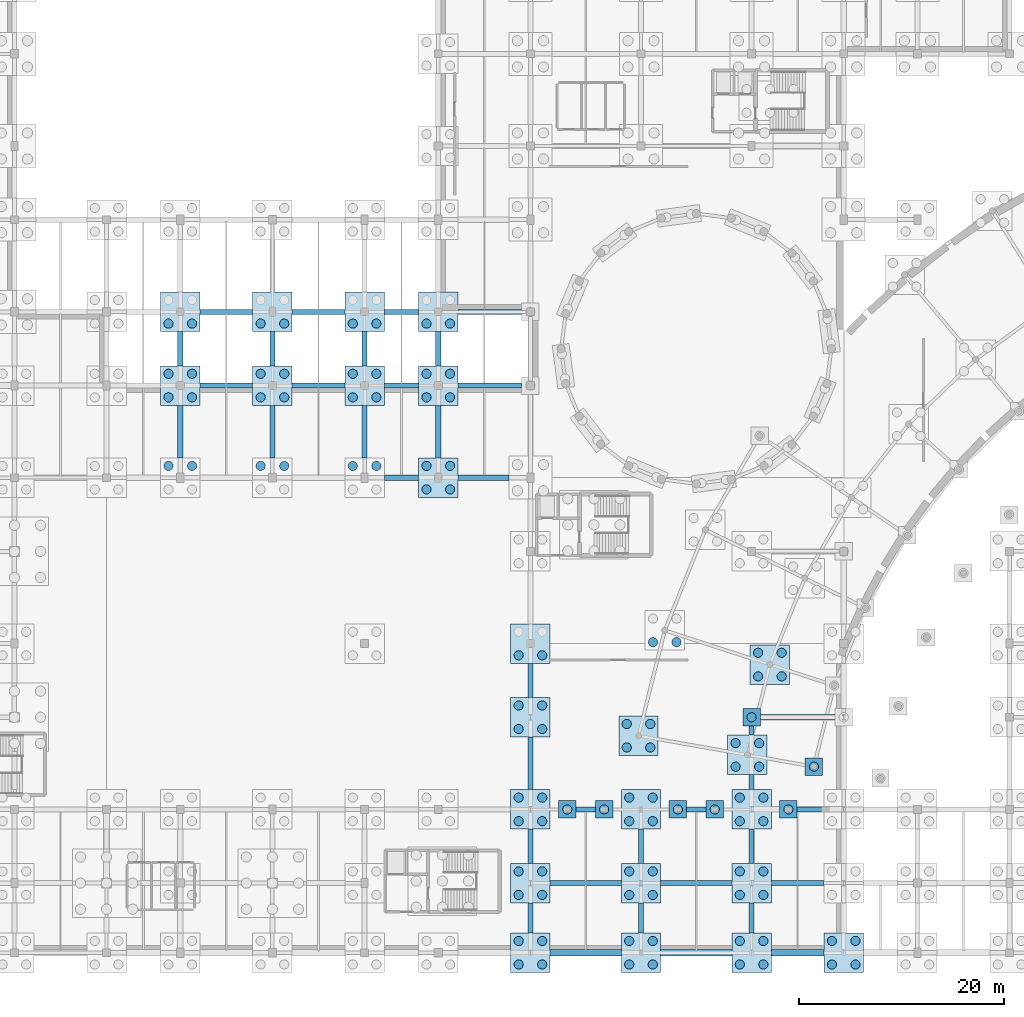
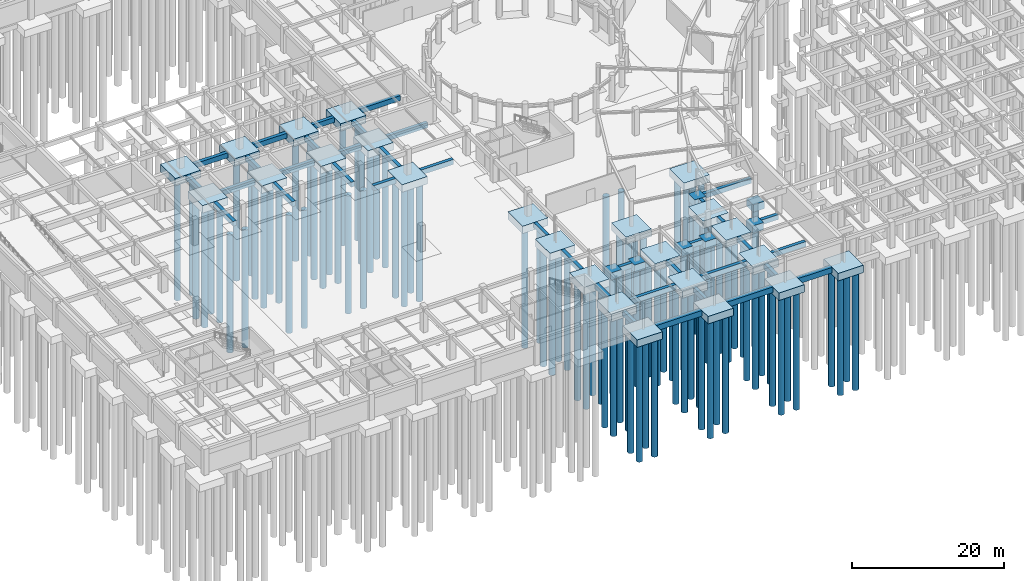
# One storey, part 3 of 42: 101 piles, 69 footings.
"""IFC4 building model written with IfcOpenShell, lengths in metres."""

from ifc_helpers import new_model, si_unit, direction, frame, frame_2d, origin, origin_2d, place, context, subcontext, project, spatial, rectangle, circle, extrude, material, material_profile, profile_set, type_object, element, save


model = new_model("IFC4")

# Units and contexts
model_context = context("Model", 3, precision=1e-05, world=origin(), true_north=direction((0.0, 1.0)))
body_context = subcontext(model_context, "Body", "Model", "MODEL_VIEW")
ifc_project = project(units=[si_unit("LENGTHUNIT", "METRE"), si_unit("AREAUNIT", "SQUARE_METRE"), si_unit("VOLUMEUNIT", "CUBIC_METRE"), si_unit("PLANEANGLEUNIT", "RADIAN"), si_unit("MASSUNIT", "GRAM", prefix="KILO")], contexts=[model_context])

# Site, building, storey
site_placement = place(None, origin())
site = spatial("IfcSite", under=ifc_project, at=site_placement, CompositionType="ELEMENT")
building_placement = place(site_placement, origin())
building = spatial("IfcBuilding", under=site, at=building_placement, Name="Clarverna Civic Hall", CompositionType="ELEMENT")
storey_placement = place(building_placement, frame((0.0, 0.0, -4.199951171875)))
storey = spatial("IfcBuildingStorey", under=building, at=storey_placement, Name="B01", CompositionType="ELEMENT", Elevation=-4.199951171875)

# Footings
ifc_material = material(Name="Concrete C30/37", Category="concrete")
footing_type_1 = type_object("IfcFootingType", Name="FC-02", PredefinedType="PILE_CAP", material=ifc_material)
for number, where, z_axis, x_axis, name in (
    (1, (89.9912109375, 28.14794921875, -1.2001953125), (0.0, 0.0, 1.0), (1.0, 0.0, 0.0), "FC-02-009"),
    (2, (87.79052734375, 19.322021484375, -1.2001953125), (0.0, 0.0, 1.0), (1.0, 0.0, 0.0), "FC-02-010"),
    (3, (77.154541015625, 21.197265625, -1.2001953125), (0.0, 0.0, 1.0), (1.0, 0.0, 0.0), "FC-02-018"),
    (4, (32.39990234375, 55.39990234375, -1.2001953125), (0.0, 0.0, 1.0), (1.0, 0.0, 0.0), "FC-02-051"),
    (5, (32.39990234375, 62.60009765625, -1.2001953125), (0.0, 0.0, 1.0), (1.0, 0.0, 0.0), "FC-02-052"),
    (6, (41.39990234375, 55.39990234375, -1.2001953125), (0.0, 0.0, 1.0), (1.0, 0.0, 0.0), "FC-02-057"),
    (7, (41.39990234375, 62.60009765625, -1.2001953125), (0.0, 0.0, 1.0), (1.0, 0.0, 0.0), "FC-02-058"),
    (8, (50.39990234375, 55.39990234375, -1.2001953125), (0.0, 0.0, 1.0), (1.0, 0.0, 0.0), "FC-02-065"),
    (9, (50.39990234375, 62.60009765625, -1.2001953125), (0.0, 0.0, 1.0), (1.0, 0.0, 0.0), "FC-02-066"),
    (10, (57.60009765625, 46.39990234375, -1.2001953125), (0.0, 0.0, 1.0), (1.0, 0.0, 0.0), "FC-02-070"),
    (11, (57.60009765625, 55.39990234375, -1.2001953125), (0.0, 0.0, 1.0), (1.0, 0.0, 0.0), "FC-02-071"),
    (12, (57.60009765625, 62.60009765625, -1.2001953125), (0.0, 0.0, 1.0), (1.0, 0.0, 0.0), "FC-02-072"),
    (13, (66.60009765625, 0.0, -1.2001953125), (0.0, 0.0, 1.0), (1.0, 0.0, 0.0), "FC-02-077"),
    (14, (66.60009765625, 6.800048828125, -1.2001953125), (0.0, 0.0, 1.0), (1.0, 0.0, 0.0), "FC-02-078"),
    (15, (66.60009765625, 14.0, -1.2001953125), (0.0, 0.0, 1.0), (1.0, 0.0, 0.0), "FC-02-079"),
    (16, (66.60009765625, 23.0, -1.2001953125), (0.0, 0.0, 1.0), (1.0, 0.0, 0.0), "FC-02-080"),
    (17, (66.60009765625, 30.199951171875, -1.2001953125), (0.0, 0.0, 1.0), (1.0, 0.0, 0.0), "FC-02-081"),
    (18, (77.39990234375, 0.0, -1.2001953125), (0.0, 0.0, 1.0), (1.0, 0.0, 0.0), "FC-02-083"),
    (19, (77.39990234375, 6.800048828125, -1.2001953125), (0.0, 0.0, 1.0), (1.0, 0.0, 0.0), "FC-02-084"),
    (20, (77.39990234375, 14.0, -1.2001953125), (0.0, 0.0, 1.0), (1.0, 0.0, 0.0), "FC-02-085"),
    (21, (88.199951171875, 0.0, -1.2001953125), (0.0, 0.0, 1.0), (1.0, 0.0, 0.0), "FC-02-086"),
    (22, (88.199951171875, 6.800048828125, -1.2001953125), (0.0, 0.0, 1.0), (1.0, 0.0, 0.0), "FC-02-087"),
    (23, (88.199951171875, 14.0, -1.2001953125), (0.0, 0.0, 1.0), (1.0, 0.0, 0.0), "FC-02-088"),
    (24, (97.199951171875, 0.0, -1.2001953125), (0.0, 0.0, 1.0), (1.0, 0.0, 0.0), "FC-02-090"),
):
    element("IfcFooting", number, at=place(storey_placement, frame(where, z_axis=z_axis, x_axis=x_axis)), inside=storey, type_object=footing_type_1, Name=name, PredefinedType="PILE_CAP", context=body_context, shape_type="SweptSolid", body=[
        extrude(rectangle(XDim=3.85009765625, YDim=3.85009765625, at=origin_2d()), origin(), (0.0, 0.0, 1.0), 1.199951171875),
    ])
footing_type_2 = type_object("IfcFootingType", Name="FC-06", PredefinedType="PILE_CAP", material=ifc_material)
for number, where, z_axis, x_axis, name in (
    (25, (94.290283203125, 18.17578125, -1.2001953125), (0.0, 0.0, 1.0), (1.0, 0.0, 0.0), "FC-06-011"),
    (26, (88.199951171875, 23.0, -1.2001953125), (0.0, 0.0, 1.0), (1.0, 0.0, 0.0), "FC-06-024"),
    (27, (70.199951171875, 14.0, -1.2001953125), (0.0, 0.0, 1.0), (1.0, 0.0, 0.0), "FC-06-041"),
    (28, (73.800048828125, 14.0, -1.2001953125), (0.0, 0.0, 1.0), (1.0, 0.0, 0.0), "FC-06-042"),
    (29, (81.0, 14.0, -1.2001953125), (0.0, 0.0, 1.0), (1.0, 0.0, 0.0), "FC-06-043"),
    (30, (84.60009765625, 14.0, -1.2001953125), (0.0, 0.0, 1.0), (1.0, 0.0, 0.0), "FC-06-044"),
    (31, (91.800048828125, 14.0, -1.2001953125), (0.0, 0.0, 1.0), (1.0, 0.0, 0.0), "FC-06-045"),
):
    element("IfcFooting", number, at=place(storey_placement, frame(where, z_axis=z_axis, x_axis=x_axis)), inside=storey, type_object=footing_type_2, Name=name, PredefinedType="PILE_CAP", context=body_context, shape_type="SweptSolid", body=[
        extrude(rectangle(XDim=1.699951171875, YDim=1.699951171875, at=origin_2d()), origin(), (0.0, 0.0, 1.0), 1.199951171875),
    ])
footing_type_3 = type_object("IfcFootingType", Name="GB-01", PredefinedType="FOOTING_BEAM", material=ifc_material)
footing_1_placement = place(storey_placement, frame((68.52490234375, 6.800048828125, -0.800048828125), z_axis=(0.0, 0.0, 1.0), x_axis=(1.0, 0.0, 0.0)))
element("IfcFooting", 32, at=footing_1_placement, inside=storey, type_object=footing_type_3, Name="GB-01-007", PredefinedType="FOOTING_BEAM", context=body_context, shape_type="SweptSolid", body=[
    extrude(rectangle(XDim=6.9501953125, YDim=0.5, at=frame_2d((3.47509765625, 0.0))), origin(), (0.0, 0.0, 1.0), 0.800048828125),
])
footing_2_placement = place(storey_placement, frame((79.324951171875, 6.800048828125, -0.800048828125), z_axis=(0.0, 0.0, 1.0), x_axis=(1.0, 0.0, 0.0)))
element("IfcFooting", 33, at=footing_2_placement, inside=storey, type_object=footing_type_3, Name="GB-01-008", PredefinedType="FOOTING_BEAM", context=body_context, shape_type="SweptSolid", body=[
    extrude(rectangle(XDim=6.949951171875, YDim=0.5, at=frame_2d((3.47509765625, 0.0))), origin(), (0.0, 0.0, 1.0), 0.800048828125),
])
footing_3_placement = place(storey_placement, frame((90.125, 6.800048828125, -0.800048828125), z_axis=(0.0, 0.0, 1.0), x_axis=(1.0, 0.0, 0.0)))
element("IfcFooting", 34, at=footing_3_placement, inside=storey, type_object=footing_type_3, Name="GB-01-009", PredefinedType="FOOTING_BEAM", context=body_context, shape_type="SweptSolid", body=[
    extrude(rectangle(XDim=5.14990234375, YDim=0.5, at=frame_2d((2.574951171875, 0.0))), origin(), (0.0, 0.0, 1.0), 0.800048828125),
])
for number, where, z_axis, x_axis, name in (
    (35, (71.050048828125, 14.0, -0.800048828125), (0.0, 0.0, 1.0), (1.0, 0.0, 0.0), "GB-01-027"),
    (36, (81.85009765625, 14.0, -0.800048828125), (0.0, 0.0, 1.0), (1.0, 0.0, 0.0), "GB-01-028"),
):
    element("IfcFooting", number, at=place(storey_placement, frame(where, z_axis=z_axis, x_axis=x_axis)), inside=storey, type_object=footing_type_3, Name=name, PredefinedType="FOOTING_BEAM", context=body_context, shape_type="SweptSolid", body=[
        extrude(rectangle(XDim=1.89990234375, YDim=0.5, at=frame_2d((0.949951171875, 0.0))), origin(), (0.0, 0.0, 1.0), 0.800048828125),
    ])
footing_4_placement = place(storey_placement, frame((92.64990234375, 14.0, -0.800048828125), z_axis=(0.0, 0.0, 1.0), x_axis=(1.0, 0.0, 0.0)))
element("IfcFooting", 37, at=footing_4_placement, inside=storey, type_object=footing_type_3, Name="GB-01-029", PredefinedType="FOOTING_BEAM", context=body_context, shape_type="SweptSolid", body=[
    extrude(rectangle(XDim=2.625, YDim=0.5, at=frame_2d((1.3125, 0.0))), origin(), (0.0, 0.0, 1.0), 0.800048828125),
])
footing_5_placement = place(storey_placement, frame((89.050048828125, 23.0, -0.800048828125), z_axis=(0.0, 0.0, 1.0), x_axis=(1.0, 0.0, 0.0)))
element("IfcFooting", 38, at=footing_5_placement, inside=storey, type_object=footing_type_3, Name="GB-01-041", PredefinedType="FOOTING_BEAM", context=body_context, shape_type="SweptSolid", body=[
    extrude(rectangle(XDim=7.300048828125, YDim=0.5, at=frame_2d((3.64990234375, 0.0))), origin(), (0.0, 0.0, 1.0), 0.800048828125),
])
footing_6_placement = place(storey_placement, frame((52.324951171875, 46.39990234375, -0.800048828125), z_axis=(0.0, 0.0, 1.0), x_axis=(1.0, 0.0, 0.0)))
element("IfcFooting", 39, at=footing_6_placement, inside=storey, type_object=footing_type_3, Name="GB-01-074", PredefinedType="FOOTING_BEAM", context=body_context, shape_type="SweptSolid", body=[
    extrude(rectangle(XDim=3.35009765625, YDim=0.5, at=frame_2d((1.675048828125, 0.0))), origin(), (0.0, 0.0, 1.0), 0.800048828125),
])
footing_7_placement = place(storey_placement, frame((59.52490234375, 46.39990234375, -0.800048828125), z_axis=(0.0, 0.0, 1.0), x_axis=(1.0, 0.0, 0.0)))
element("IfcFooting", 40, at=footing_7_placement, inside=storey, type_object=footing_type_3, Name="GB-01-075", PredefinedType="FOOTING_BEAM", context=body_context, shape_type="SweptSolid", body=[
    extrude(rectangle(XDim=4.97509765625, YDim=0.5, at=frame_2d((2.487548828125, 0.0))), origin(), (0.0, 0.0, 1.0), 0.800048828125),
])
for number, where, z_axis, x_axis, name in (
    (41, (34.324951171875, 55.39990234375, -0.800048828125), (0.0, 0.0, 1.0), (1.0, 0.0, 0.0), "GB-01-086"),
    (42, (43.324951171875, 55.39990234375, -0.800048828125), (0.0, 0.0, 1.0), (1.0, 0.0, 0.0), "GB-01-087"),
):
    element("IfcFooting", number, at=place(storey_placement, frame(where, z_axis=z_axis, x_axis=x_axis)), inside=storey, type_object=footing_type_3, Name=name, PredefinedType="FOOTING_BEAM", context=body_context, shape_type="SweptSolid", body=[
        extrude(rectangle(XDim=5.150146484375, YDim=0.5, at=frame_2d((2.5751953125, 0.0))), origin(), (0.0, 0.0, 1.0), 0.800048828125),
    ])
footing_8_placement = place(storey_placement, frame((52.324951171875, 55.39990234375, -0.800048828125), z_axis=(0.0, 0.0, 1.0), x_axis=(1.0, 0.0, 0.0)))
element("IfcFooting", 43, at=footing_8_placement, inside=storey, type_object=footing_type_3, Name="GB-01-088", PredefinedType="FOOTING_BEAM", context=body_context, shape_type="SweptSolid", body=[
    extrude(rectangle(XDim=3.35009765625, YDim=0.5, at=frame_2d((1.675048828125, 0.0))), origin(), (0.0, 0.0, 1.0), 0.800048828125),
])
footing_9_placement = place(storey_placement, frame((59.52490234375, 55.39990234375, -0.800048828125), z_axis=(0.0, 0.0, 1.0), x_axis=(1.0, 0.0, 0.0)))
element("IfcFooting", 44, at=footing_9_placement, inside=storey, type_object=footing_type_3, Name="GB-01-089", PredefinedType="FOOTING_BEAM", context=body_context, shape_type="SweptSolid", body=[
    extrude(rectangle(XDim=6.22509765625, YDim=0.5, at=frame_2d((3.112548828125, 0.0))), origin(), (0.0, 0.0, 1.0), 0.800048828125),
])
for number, where, z_axis, x_axis, name in (
    (45, (34.324951171875, 62.60009765625, -0.800048828125), (0.0, 0.0, 1.0), (1.0, 0.0, 0.0), "GB-01-097"),
    (46, (43.324951171875, 62.60009765625, -0.800048828125), (0.0, 0.0, 1.0), (1.0, 0.0, 0.0), "GB-01-098"),
):
    element("IfcFooting", number, at=place(storey_placement, frame(where, z_axis=z_axis, x_axis=x_axis)), inside=storey, type_object=footing_type_3, Name=name, PredefinedType="FOOTING_BEAM", context=body_context, shape_type="SweptSolid", body=[
        extrude(rectangle(XDim=5.150146484375, YDim=0.5, at=frame_2d((2.5751953125, 0.0))), origin(), (0.0, 0.0, 1.0), 0.800048828125),
    ])
footing_10_placement = place(storey_placement, frame((52.324951171875, 62.60009765625, -0.800048828125), z_axis=(0.0, 0.0, 1.0), x_axis=(1.0, 0.0, 0.0)))
element("IfcFooting", 47, at=footing_10_placement, inside=storey, type_object=footing_type_3, Name="GB-01-099", PredefinedType="FOOTING_BEAM", context=body_context, shape_type="SweptSolid", body=[
    extrude(rectangle(XDim=3.35009765625, YDim=0.5, at=frame_2d((1.675048828125, 0.0))), origin(), (0.0, 0.0, 1.0), 0.800048828125),
])
footing_11_placement = place(storey_placement, frame((59.52490234375, 62.60009765625, -0.800048828125), z_axis=(0.0, 0.0, 1.0), x_axis=(1.0, 0.0, 0.0)))
element("IfcFooting", 48, at=footing_11_placement, inside=storey, type_object=footing_type_3, Name="GB-01-100", PredefinedType="FOOTING_BEAM", context=body_context, shape_type="SweptSolid", body=[
    extrude(rectangle(XDim=6.22509765625, YDim=0.5, at=frame_2d((3.112548828125, 0.0))), origin(), (0.0, 0.0, 1.0), 0.800048828125),
])
footing_12_placement = place(storey_placement, frame((32.39990234375, 48.324951171875, -0.800048828125), z_axis=(0.0, 0.0, 1.0), x_axis=(0.0, 1.0, 0.0)))
element("IfcFooting", 49, at=footing_12_placement, inside=storey, type_object=footing_type_3, Name="GB-01-207", PredefinedType="FOOTING_BEAM", context=body_context, shape_type="SweptSolid", body=[
    extrude(rectangle(XDim=5.150146484375, YDim=0.5, at=frame_2d((2.5751953125, 0.0))), origin(), (0.0, 0.0, 1.0), 0.800048828125),
])
footing_13_placement = place(storey_placement, frame((32.39990234375, 57.324951171875, -0.800048828125), z_axis=(0.0, 0.0, 1.0), x_axis=(0.0, 1.0, 0.0)))
element("IfcFooting", 50, at=footing_13_placement, inside=storey, type_object=footing_type_3, Name="GB-01-208", PredefinedType="FOOTING_BEAM", context=body_context, shape_type="SweptSolid", body=[
    extrude(rectangle(XDim=3.35009765625, YDim=0.5, at=frame_2d((1.675048828125, 0.0))), origin(), (0.0, 0.0, 1.0), 0.800048828125),
])
footing_14_placement = place(storey_placement, frame((41.39990234375, 48.324951171875, -0.800048828125), z_axis=(0.0, 0.0, 1.0), x_axis=(0.0, 1.0, 0.0)))
element("IfcFooting", 51, at=footing_14_placement, inside=storey, type_object=footing_type_3, Name="GB-01-214", PredefinedType="FOOTING_BEAM", context=body_context, shape_type="SweptSolid", body=[
    extrude(rectangle(XDim=5.150146484375, YDim=0.5, at=frame_2d((2.5751953125, 0.0))), origin(), (0.0, 0.0, 1.0), 0.800048828125),
])
footing_15_placement = place(storey_placement, frame((41.39990234375, 57.324951171875, -0.800048828125), z_axis=(0.0, 0.0, 1.0), x_axis=(0.0, 1.0, 0.0)))
element("IfcFooting", 52, at=footing_15_placement, inside=storey, type_object=footing_type_3, Name="GB-01-215", PredefinedType="FOOTING_BEAM", context=body_context, shape_type="SweptSolid", body=[
    extrude(rectangle(XDim=3.35009765625, YDim=0.5, at=frame_2d((1.675048828125, 0.0))), origin(), (0.0, 0.0, 1.0), 0.800048828125),
])
footing_16_placement = place(storey_placement, frame((50.39990234375, 48.324951171875, -0.800048828125), z_axis=(0.0, 0.0, 1.0), x_axis=(0.0, 1.0, 0.0)))
element("IfcFooting", 53, at=footing_16_placement, inside=storey, type_object=footing_type_3, Name="GB-01-221", PredefinedType="FOOTING_BEAM", context=body_context, shape_type="SweptSolid", body=[
    extrude(rectangle(XDim=5.150146484375, YDim=0.5, at=frame_2d((2.5751953125, 0.0))), origin(), (0.0, 0.0, 1.0), 0.800048828125),
])
footing_17_placement = place(storey_placement, frame((50.39990234375, 57.324951171875, -0.800048828125), z_axis=(0.0, 0.0, 1.0), x_axis=(0.0, 1.0, 0.0)))
element("IfcFooting", 54, at=footing_17_placement, inside=storey, type_object=footing_type_3, Name="GB-01-222", PredefinedType="FOOTING_BEAM", context=body_context, shape_type="SweptSolid", body=[
    extrude(rectangle(XDim=3.35009765625, YDim=0.5, at=frame_2d((1.675048828125, 0.0))), origin(), (0.0, 0.0, 1.0), 0.800048828125),
])
footing_18_placement = place(storey_placement, frame((57.60009765625, 48.324951171875, -0.800048828125), z_axis=(0.0, 0.0, 1.0), x_axis=(0.0, 1.0, 0.0)))
element("IfcFooting", 55, at=footing_18_placement, inside=storey, type_object=footing_type_3, Name="GB-01-226", PredefinedType="FOOTING_BEAM", context=body_context, shape_type="SweptSolid", body=[
    extrude(rectangle(XDim=5.150146484375, YDim=0.5, at=frame_2d((2.5751953125, 0.0))), origin(), (0.0, 0.0, 1.0), 0.800048828125),
])
footing_19_placement = place(storey_placement, frame((57.60009765625, 57.324951171875, -0.800048828125), z_axis=(0.0, 0.0, 1.0), x_axis=(0.0, 1.0, 0.0)))
element("IfcFooting", 56, at=footing_19_placement, inside=storey, type_object=footing_type_3, Name="GB-01-227", PredefinedType="FOOTING_BEAM", context=body_context, shape_type="SweptSolid", body=[
    extrude(rectangle(XDim=3.35009765625, YDim=0.5, at=frame_2d((1.675048828125, 0.0))), origin(), (0.0, 0.0, 1.0), 0.800048828125),
])
footing_20_placement = place(storey_placement, frame((66.60009765625, 1.925048828125, -0.800048828125), z_axis=(0.0, 0.0, 1.0), x_axis=(0.0, 1.0, 0.0)))
element("IfcFooting", 57, at=footing_20_placement, inside=storey, type_object=footing_type_3, Name="GB-01-233", PredefinedType="FOOTING_BEAM", context=body_context, shape_type="SweptSolid", body=[
    extrude(rectangle(XDim=2.949951171875, YDim=0.5, at=frame_2d((1.47509765625, 0.0))), origin(), (0.0, 0.0, 1.0), 0.800048828125),
])
footing_21_placement = place(storey_placement, frame((66.60009765625, 8.72509765625, -0.800048828125), z_axis=(0.0, 0.0, 1.0), x_axis=(0.0, 1.0, 0.0)))
element("IfcFooting", 58, at=footing_21_placement, inside=storey, type_object=footing_type_3, Name="GB-01-234", PredefinedType="FOOTING_BEAM", context=body_context, shape_type="SweptSolid", body=[
    extrude(rectangle(XDim=3.349853515625, YDim=0.5, at=frame_2d((1.6748046875, 0.0))), origin(), (0.0, 0.0, 1.0), 0.800048828125),
])
footing_22_placement = place(storey_placement, frame((66.60009765625, 15.925048828125, -0.800048828125), z_axis=(0.0, 0.0, 1.0), x_axis=(0.0, 1.0, 0.0)))
element("IfcFooting", 59, at=footing_22_placement, inside=storey, type_object=footing_type_3, Name="GB-01-235", PredefinedType="FOOTING_BEAM", context=body_context, shape_type="SweptSolid", body=[
    extrude(rectangle(XDim=5.14990234375, YDim=0.5, at=frame_2d((2.574951171875, 0.0))), origin(), (0.0, 0.0, 1.0), 0.800048828125),
])
footing_23_placement = place(storey_placement, frame((66.60009765625, 24.925048828125, -0.800048828125), z_axis=(0.0, 0.0, 1.0), x_axis=(0.0, 1.0, 0.0)))
element("IfcFooting", 60, at=footing_23_placement, inside=storey, type_object=footing_type_3, Name="GB-01-236", PredefinedType="FOOTING_BEAM", context=body_context, shape_type="SweptSolid", body=[
    extrude(rectangle(XDim=3.349853515625, YDim=0.5, at=frame_2d((1.6748046875, 0.0))), origin(), (0.0, 0.0, 1.0), 0.800048828125),
])
footing_24_placement = place(storey_placement, frame((77.39990234375, 1.925048828125, -0.800048828125), z_axis=(0.0, 0.0, 1.0), x_axis=(0.0, 1.0, 0.0)))
element("IfcFooting", 61, at=footing_24_placement, inside=storey, type_object=footing_type_3, Name="GB-01-248", PredefinedType="FOOTING_BEAM", context=body_context, shape_type="SweptSolid", body=[
    extrude(rectangle(XDim=2.949951171875, YDim=0.5, at=frame_2d((1.47509765625, 0.0))), origin(), (0.0, 0.0, 1.0), 0.800048828125),
])
footing_25_placement = place(storey_placement, frame((77.39990234375, 8.72509765625, -0.800048828125), z_axis=(0.0, 0.0, 1.0), x_axis=(0.0, 1.0, 0.0)))
element("IfcFooting", 62, at=footing_25_placement, inside=storey, type_object=footing_type_3, Name="GB-01-249", PredefinedType="FOOTING_BEAM", context=body_context, shape_type="SweptSolid", body=[
    extrude(rectangle(XDim=3.349853515625, YDim=0.5, at=frame_2d((1.6748046875, 0.0))), origin(), (0.0, 0.0, 1.0), 0.800048828125),
])
footing_26_placement = place(storey_placement, frame((88.199951171875, 1.925048828125, -0.800048828125), z_axis=(0.0, 0.0, 1.0), x_axis=(0.0, 1.0, 0.0)))
element("IfcFooting", 63, at=footing_26_placement, inside=storey, type_object=footing_type_3, Name="GB-01-252", PredefinedType="FOOTING_BEAM", context=body_context, shape_type="SweptSolid", body=[
    extrude(rectangle(XDim=2.949951171875, YDim=0.5, at=frame_2d((1.47509765625, 0.0))), origin(), (0.0, 0.0, 1.0), 0.800048828125),
])
footing_27_placement = place(storey_placement, frame((88.199951171875, 8.72509765625, -0.800048828125), z_axis=(0.0, 0.0, 1.0), x_axis=(0.0, 1.0, 0.0)))
element("IfcFooting", 64, at=footing_27_placement, inside=storey, type_object=footing_type_3, Name="GB-01-253", PredefinedType="FOOTING_BEAM", context=body_context, shape_type="SweptSolid", body=[
    extrude(rectangle(XDim=3.349853515625, YDim=0.5, at=frame_2d((1.6748046875, 0.0))), origin(), (0.0, 0.0, 1.0), 0.800048828125),
])
footing_28_placement = place(storey_placement, frame((88.199951171875, 15.925048828125, -0.800048828125), z_axis=(0.0, 0.0, 1.0), x_axis=(0.0, 1.0, 0.0)))
element("IfcFooting", 65, at=footing_28_placement, inside=storey, type_object=footing_type_3, Name="GB-01-254", PredefinedType="FOOTING_BEAM", context=body_context, shape_type="SweptSolid", body=[
    extrude(rectangle(XDim=1.471923828125, YDim=0.5, at=frame_2d((0.73583984375, 0.0))), origin(), (0.0, 0.0, 1.0), 0.800048828125),
])
footing_29_placement = place(storey_placement, frame((88.199951171875, 21.246826171875, -0.800048828125), z_axis=(0.0, 0.0, 1.0), x_axis=(0.0, 1.0, 0.0)))
element("IfcFooting", 66, at=footing_29_placement, inside=storey, type_object=footing_type_3, Name="GB-01-255", PredefinedType="FOOTING_BEAM", context=body_context, shape_type="SweptSolid", body=[
    extrude(rectangle(XDim=0.903076171875, YDim=0.5, at=frame_2d((0.45166015625, 0.0))), origin(), (0.0, 0.0, 1.0), 0.800048828125),
])
footing_type_4 = type_object("IfcFootingType", Name="GB-02", PredefinedType="FOOTING_BEAM", material=ifc_material)
footing_30_placement = place(storey_placement, frame((68.52490234375, 0.0, -0.900146484375), z_axis=(0.0, 0.0, 1.0), x_axis=(1.0, 0.0, 0.0)))
element("IfcFooting", 67, at=footing_30_placement, inside=storey, type_object=footing_type_4, Name="GB-02-009", PredefinedType="FOOTING_BEAM", context=body_context, shape_type="SweptSolid", body=[
    extrude(rectangle(XDim=6.9501953125, YDim=0.60009765625, at=frame_2d((3.47509765625, 0.0))), origin(), (0.0, 0.0, 1.0), 0.900146484375),
])
footing_31_placement = place(storey_placement, frame((79.324951171875, 0.0, -0.900146484375), z_axis=(0.0, 0.0, 1.0), x_axis=(1.0, 0.0, 0.0)))
element("IfcFooting", 68, at=footing_31_placement, inside=storey, type_object=footing_type_4, Name="GB-02-010", PredefinedType="FOOTING_BEAM", context=body_context, shape_type="SweptSolid", body=[
    extrude(rectangle(XDim=6.949951171875, YDim=0.60009765625, at=frame_2d((3.47509765625, 0.0))), origin(), (0.0, 0.0, 1.0), 0.900146484375),
])
footing_32_placement = place(storey_placement, frame((90.125, 0.0, -0.900146484375), z_axis=(0.0, 0.0, 1.0), x_axis=(1.0, 0.0, 0.0)))
element("IfcFooting", 69, at=footing_32_placement, inside=storey, type_object=footing_type_4, Name="GB-02-011", PredefinedType="FOOTING_BEAM", context=body_context, shape_type="SweptSolid", body=[
    extrude(rectangle(XDim=5.14990234375, YDim=0.60009765625, at=frame_2d((2.574951171875, 0.0))), origin(), (0.0, 0.0, 1.0), 0.900146484375),
])

# Piles
ifc_material_profile = material_profile(ifc_material, circle(Radius=0.449951171875, at=origin_2d()), Name="BORED PILE D900")
ifc_profile_set = profile_set([ifc_material_profile], Name="Concrete C30/37")
pile_type = type_object("IfcPileType", Name="PL-01", PredefinedType="BORED", material=ifc_profile_set)
for number, where, z_axis, x_axis, name in (
    (70, (88.841064453125, 26.997802734375, -1.10009765625), (0.0, 0.0, -1.0), (1.0, 0.0, 0.0), "PL-01-057"),
    (71, (91.14111328125, 26.997802734375, -1.10009765625), (0.0, 0.0, -1.0), (1.0, 0.0, 0.0), "PL-01-058"),
    (72, (88.841064453125, 29.2978515625, -1.10009765625), (0.0, 0.0, -1.0), (1.0, 0.0, 0.0), "PL-01-059"),
    (73, (91.14111328125, 29.2978515625, -1.10009765625), (0.0, 0.0, -1.0), (1.0, 0.0, 0.0), "PL-01-060"),
    (74, (86.640380859375, 18.171875, -1.10009765625), (0.0, 0.0, -1.0), (1.0, 0.0, 0.0), "PL-01-061"),
    (75, (88.9404296875, 18.171875, -1.10009765625), (0.0, 0.0, -1.0), (1.0, 0.0, 0.0), "PL-01-062"),
    (76, (86.640380859375, 20.471923828125, -1.10009765625), (0.0, 0.0, -1.0), (1.0, 0.0, 0.0), "PL-01-063"),
    (77, (88.9404296875, 20.471923828125, -1.10009765625), (0.0, 0.0, -1.0), (1.0, 0.0, 0.0), "PL-01-064"),
    (78, (78.569580078125, 30.335205078125, -1.10009765625), (0.0, 0.0, -1.0), (1.0, 0.0, 0.0), "PL-01-090"),
    (79, (80.86962890625, 30.335205078125, -1.10009765625), (0.0, 0.0, -1.0), (1.0, 0.0, 0.0), "PL-01-091"),
    (80, (76.004638671875, 20.04736328125, -1.10009765625), (0.0, 0.0, -1.0), (1.0, 0.0, 0.0), "PL-01-094"),
    (81, (78.3046875, 20.04736328125, -1.10009765625), (0.0, 0.0, -1.0), (1.0, 0.0, 0.0), "PL-01-095"),
    (82, (76.004638671875, 22.347412109375, -1.10009765625), (0.0, 0.0, -1.0), (1.0, 0.0, 0.0), "PL-01-096"),
    (83, (78.3046875, 22.347412109375, -1.10009765625), (0.0, 0.0, -1.0), (1.0, 0.0, 0.0), "PL-01-097"),
    (84, (94.290283203125, 18.17578125, -1.10009765625), (0.0, 0.0, -1.0), (1.0, 0.0, 0.0), "PL-01-107"),
    (85, (31.25, 47.550048828125, -1.10009765625), (0.0, 0.0, -1.0), (1.0, 0.0, 0.0), "PL-01-244"),
    (86, (33.550048828125, 47.550048828125, -1.10009765625), (0.0, 0.0, -1.0), (1.0, 0.0, 0.0), "PL-01-245"),
    (87, (31.25, 54.25, -1.10009765625), (0.0, 0.0, -1.0), (1.0, 0.0, 0.0), "PL-01-246"),
    (88, (33.550048828125, 54.25, -1.10009765625), (0.0, 0.0, -1.0), (1.0, 0.0, 0.0), "PL-01-247"),
    (89, (31.25, 56.550048828125, -1.10009765625), (0.0, 0.0, -1.0), (1.0, 0.0, 0.0), "PL-01-248"),
    (90, (33.550048828125, 56.550048828125, -1.10009765625), (0.0, 0.0, -1.0), (1.0, 0.0, 0.0), "PL-01-249"),
    (91, (31.25, 61.449951171875, -1.10009765625), (0.0, 0.0, -1.0), (1.0, 0.0, 0.0), "PL-01-250"),
    (92, (33.550048828125, 61.449951171875, -1.10009765625), (0.0, 0.0, -1.0), (1.0, 0.0, 0.0), "PL-01-251"),
    (93, (40.25, 47.550048828125, -1.10009765625), (0.0, 0.0, -1.0), (1.0, 0.0, 0.0), "PL-01-268"),
    (94, (42.550048828125, 47.550048828125, -1.10009765625), (0.0, 0.0, -1.0), (1.0, 0.0, 0.0), "PL-01-269"),
    (95, (40.25, 54.25, -1.10009765625), (0.0, 0.0, -1.0), (1.0, 0.0, 0.0), "PL-01-270"),
    (96, (42.550048828125, 54.25, -1.10009765625), (0.0, 0.0, -1.0), (1.0, 0.0, 0.0), "PL-01-271"),
    (97, (40.25, 56.550048828125, -1.10009765625), (0.0, 0.0, -1.0), (1.0, 0.0, 0.0), "PL-01-272"),
    (98, (42.550048828125, 56.550048828125, -1.10009765625), (0.0, 0.0, -1.0), (1.0, 0.0, 0.0), "PL-01-273"),
    (99, (40.25, 61.449951171875, -1.10009765625), (0.0, 0.0, -1.0), (1.0, 0.0, 0.0), "PL-01-274"),
    (100, (42.550048828125, 61.449951171875, -1.10009765625), (0.0, 0.0, -1.0), (1.0, 0.0, 0.0), "PL-01-275"),
    (101, (49.25, 47.550048828125, -1.10009765625), (0.0, 0.0, -1.0), (1.0, 0.0, 0.0), "PL-01-300"),
    (102, (51.550048828125, 47.550048828125, -1.10009765625), (0.0, 0.0, -1.0), (1.0, 0.0, 0.0), "PL-01-301"),
    (103, (49.25, 54.25, -1.10009765625), (0.0, 0.0, -1.0), (1.0, 0.0, 0.0), "PL-01-302"),
    (104, (51.550048828125, 54.25, -1.10009765625), (0.0, 0.0, -1.0), (1.0, 0.0, 0.0), "PL-01-303"),
    (105, (49.25, 56.550048828125, -1.10009765625), (0.0, 0.0, -1.0), (1.0, 0.0, 0.0), "PL-01-304"),
    (106, (51.550048828125, 56.550048828125, -1.10009765625), (0.0, 0.0, -1.0), (1.0, 0.0, 0.0), "PL-01-305"),
    (107, (49.25, 61.449951171875, -1.10009765625), (0.0, 0.0, -1.0), (1.0, 0.0, 0.0), "PL-01-306"),
    (108, (51.550048828125, 61.449951171875, -1.10009765625), (0.0, 0.0, -1.0), (1.0, 0.0, 0.0), "PL-01-307"),
    (109, (56.449951171875, 45.25, -1.10009765625), (0.0, 0.0, -1.0), (1.0, 0.0, 0.0), "PL-01-322"),
    (110, (58.75, 45.25, -1.10009765625), (0.0, 0.0, -1.0), (1.0, 0.0, 0.0), "PL-01-323"),
    (111, (56.449951171875, 47.550048828125, -1.10009765625), (0.0, 0.0, -1.0), (1.0, 0.0, 0.0), "PL-01-324"),
    (112, (58.75, 47.550048828125, -1.10009765625), (0.0, 0.0, -1.0), (1.0, 0.0, 0.0), "PL-01-325"),
    (113, (56.449951171875, 54.25, -1.10009765625), (0.0, 0.0, -1.0), (1.0, 0.0, 0.0), "PL-01-326"),
    (114, (58.75, 54.25, -1.10009765625), (0.0, 0.0, -1.0), (1.0, 0.0, 0.0), "PL-01-327"),
    (115, (56.449951171875, 56.550048828125, -1.10009765625), (0.0, 0.0, -1.0), (1.0, 0.0, 0.0), "PL-01-328"),
    (116, (58.75, 56.550048828125, -1.10009765625), (0.0, 0.0, -1.0), (1.0, 0.0, 0.0), "PL-01-329"),
    (117, (56.449951171875, 61.449951171875, -1.10009765625), (0.0, 0.0, -1.0), (1.0, 0.0, 0.0), "PL-01-330"),
    (118, (58.75, 61.449951171875, -1.10009765625), (0.0, 0.0, -1.0), (1.0, 0.0, 0.0), "PL-01-331"),
    (119, (65.449951171875, -1.14990234375, -1.10009765625), (0.0, 0.0, -1.0), (1.0, 0.0, 0.0), "PL-01-350"),
    (120, (67.75, -1.14990234375, -1.10009765625), (0.0, 0.0, -1.0), (1.0, 0.0, 0.0), "PL-01-351"),
    (121, (65.449951171875, 1.14990234375, -1.10009765625), (0.0, 0.0, -1.0), (1.0, 0.0, 0.0), "PL-01-352"),
    (122, (67.75, 1.14990234375, -1.10009765625), (0.0, 0.0, -1.0), (1.0, 0.0, 0.0), "PL-01-353"),
    (123, (65.449951171875, 5.64990234375, -1.10009765625), (0.0, 0.0, -1.0), (1.0, 0.0, 0.0), "PL-01-354"),
    (124, (67.75, 5.64990234375, -1.10009765625), (0.0, 0.0, -1.0), (1.0, 0.0, 0.0), "PL-01-355"),
    (125, (65.449951171875, 7.949951171875, -1.10009765625), (0.0, 0.0, -1.0), (1.0, 0.0, 0.0), "PL-01-356"),
    (126, (67.75, 7.949951171875, -1.10009765625), (0.0, 0.0, -1.0), (1.0, 0.0, 0.0), "PL-01-357"),
    (127, (65.449951171875, 12.85009765625, -1.10009765625), (0.0, 0.0, -1.0), (1.0, 0.0, 0.0), "PL-01-358"),
    (128, (67.75, 12.85009765625, -1.10009765625), (0.0, 0.0, -1.0), (1.0, 0.0, 0.0), "PL-01-359"),
    (129, (65.449951171875, 15.14990234375, -1.10009765625), (0.0, 0.0, -1.0), (1.0, 0.0, 0.0), "PL-01-360"),
    (130, (67.75, 15.14990234375, -1.10009765625), (0.0, 0.0, -1.0), (1.0, 0.0, 0.0), "PL-01-361"),
    (131, (65.449951171875, 21.85009765625, -1.10009765625), (0.0, 0.0, -1.0), (1.0, 0.0, 0.0), "PL-01-362"),
    (132, (67.75, 21.85009765625, -1.10009765625), (0.0, 0.0, -1.0), (1.0, 0.0, 0.0), "PL-01-363"),
    (133, (65.449951171875, 24.14990234375, -1.10009765625), (0.0, 0.0, -1.0), (1.0, 0.0, 0.0), "PL-01-364"),
    (134, (67.75, 24.14990234375, -1.10009765625), (0.0, 0.0, -1.0), (1.0, 0.0, 0.0), "PL-01-365"),
    (135, (65.449951171875, 29.050048828125, -1.10009765625), (0.0, 0.0, -1.0), (1.0, 0.0, 0.0), "PL-01-366"),
    (136, (67.75, 29.050048828125, -1.10009765625), (0.0, 0.0, -1.0), (1.0, 0.0, 0.0), "PL-01-367"),
    (137, (76.25, -1.14990234375, -1.10009765625), (0.0, 0.0, -1.0), (1.0, 0.0, 0.0), "PL-01-376"),
    (138, (78.550048828125, -1.14990234375, -1.10009765625), (0.0, 0.0, -1.0), (1.0, 0.0, 0.0), "PL-01-377"),
    (139, (76.25, 1.14990234375, -1.10009765625), (0.0, 0.0, -1.0), (1.0, 0.0, 0.0), "PL-01-378"),
    (140, (78.550048828125, 1.14990234375, -1.10009765625), (0.0, 0.0, -1.0), (1.0, 0.0, 0.0), "PL-01-379"),
    (141, (76.25, 5.64990234375, -1.10009765625), (0.0, 0.0, -1.0), (1.0, 0.0, 0.0), "PL-01-380"),
    (142, (78.550048828125, 5.64990234375, -1.10009765625), (0.0, 0.0, -1.0), (1.0, 0.0, 0.0), "PL-01-381"),
    (143, (76.25, 7.949951171875, -1.10009765625), (0.0, 0.0, -1.0), (1.0, 0.0, 0.0), "PL-01-382"),
    (144, (78.550048828125, 7.949951171875, -1.10009765625), (0.0, 0.0, -1.0), (1.0, 0.0, 0.0), "PL-01-383"),
    (145, (76.25, 12.85009765625, -1.10009765625), (0.0, 0.0, -1.0), (1.0, 0.0, 0.0), "PL-01-384"),
    (146, (78.550048828125, 12.85009765625, -1.10009765625), (0.0, 0.0, -1.0), (1.0, 0.0, 0.0), "PL-01-385"),
    (147, (76.25, 15.14990234375, -1.10009765625), (0.0, 0.0, -1.0), (1.0, 0.0, 0.0), "PL-01-386"),
    (148, (78.550048828125, 15.14990234375, -1.10009765625), (0.0, 0.0, -1.0), (1.0, 0.0, 0.0), "PL-01-387"),
    (149, (87.050048828125, -1.14990234375, -1.10009765625), (0.0, 0.0, -1.0), (1.0, 0.0, 0.0), "PL-01-388"),
    (150, (89.35009765625, -1.14990234375, -1.10009765625), (0.0, 0.0, -1.0), (1.0, 0.0, 0.0), "PL-01-389"),
    (151, (87.050048828125, 1.14990234375, -1.10009765625), (0.0, 0.0, -1.0), (1.0, 0.0, 0.0), "PL-01-390"),
    (152, (89.35009765625, 1.14990234375, -1.10009765625), (0.0, 0.0, -1.0), (1.0, 0.0, 0.0), "PL-01-391"),
    (153, (87.050048828125, 5.64990234375, -1.10009765625), (0.0, 0.0, -1.0), (1.0, 0.0, 0.0), "PL-01-392"),
    (154, (89.35009765625, 5.64990234375, -1.10009765625), (0.0, 0.0, -1.0), (1.0, 0.0, 0.0), "PL-01-393"),
    (155, (87.050048828125, 7.949951171875, -1.10009765625), (0.0, 0.0, -1.0), (1.0, 0.0, 0.0), "PL-01-394"),
    (156, (89.35009765625, 7.949951171875, -1.10009765625), (0.0, 0.0, -1.0), (1.0, 0.0, 0.0), "PL-01-395"),
    (157, (87.050048828125, 12.85009765625, -1.10009765625), (0.0, 0.0, -1.0), (1.0, 0.0, 0.0), "PL-01-396"),
    (158, (89.35009765625, 12.85009765625, -1.10009765625), (0.0, 0.0, -1.0), (1.0, 0.0, 0.0), "PL-01-397"),
    (159, (87.050048828125, 15.14990234375, -1.10009765625), (0.0, 0.0, -1.0), (1.0, 0.0, 0.0), "PL-01-398"),
    (160, (89.35009765625, 15.14990234375, -1.10009765625), (0.0, 0.0, -1.0), (1.0, 0.0, 0.0), "PL-01-399"),
    (161, (88.199951171875, 23.0, -1.10009765625), (0.0, 0.0, -1.0), (1.0, 0.0, 0.0), "PL-01-400"),
    (162, (96.050048828125, -1.14990234375, -1.10009765625), (0.0, 0.0, -1.0), (1.0, 0.0, 0.0), "PL-01-405"),
    (163, (98.35009765625, -1.14990234375, -1.10009765625), (0.0, 0.0, -1.0), (1.0, 0.0, 0.0), "PL-01-406"),
    (164, (96.050048828125, 1.14990234375, -1.10009765625), (0.0, 0.0, -1.0), (1.0, 0.0, 0.0), "PL-01-407"),
    (165, (98.35009765625, 1.14990234375, -1.10009765625), (0.0, 0.0, -1.0), (1.0, 0.0, 0.0), "PL-01-408"),
    (166, (70.199951171875, 14.0, -1.10009765625), (0.0, 0.0, -1.0), (1.0, 0.0, 0.0), "PL-01-839"),
    (167, (73.800048828125, 14.0, -1.10009765625), (0.0, 0.0, -1.0), (1.0, 0.0, 0.0), "PL-01-840"),
    (168, (81.0, 14.0, -1.10009765625), (0.0, 0.0, -1.0), (1.0, 0.0, 0.0), "PL-01-841"),
    (169, (84.60009765625, 14.0, -1.10009765625), (0.0, 0.0, -1.0), (1.0, 0.0, 0.0), "PL-01-842"),
    (170, (91.800048828125, 14.0, -1.10009765625), (0.0, 0.0, -1.0), (1.0, 0.0, 0.0), "PL-01-843"),
):
    element("IfcPile", number, at=place(storey_placement, frame(where, z_axis=z_axis, x_axis=x_axis)), inside=storey, type_object=pile_type, Name=name, PredefinedType="BORED", context=body_context, shape_type="SweptSolid", body=[
        extrude(circle(Radius=0.449951171875, at=origin_2d()), origin(), (0.0, 0.0, 1.0), 19.0),
    ])

save(model, "model.ifc")
